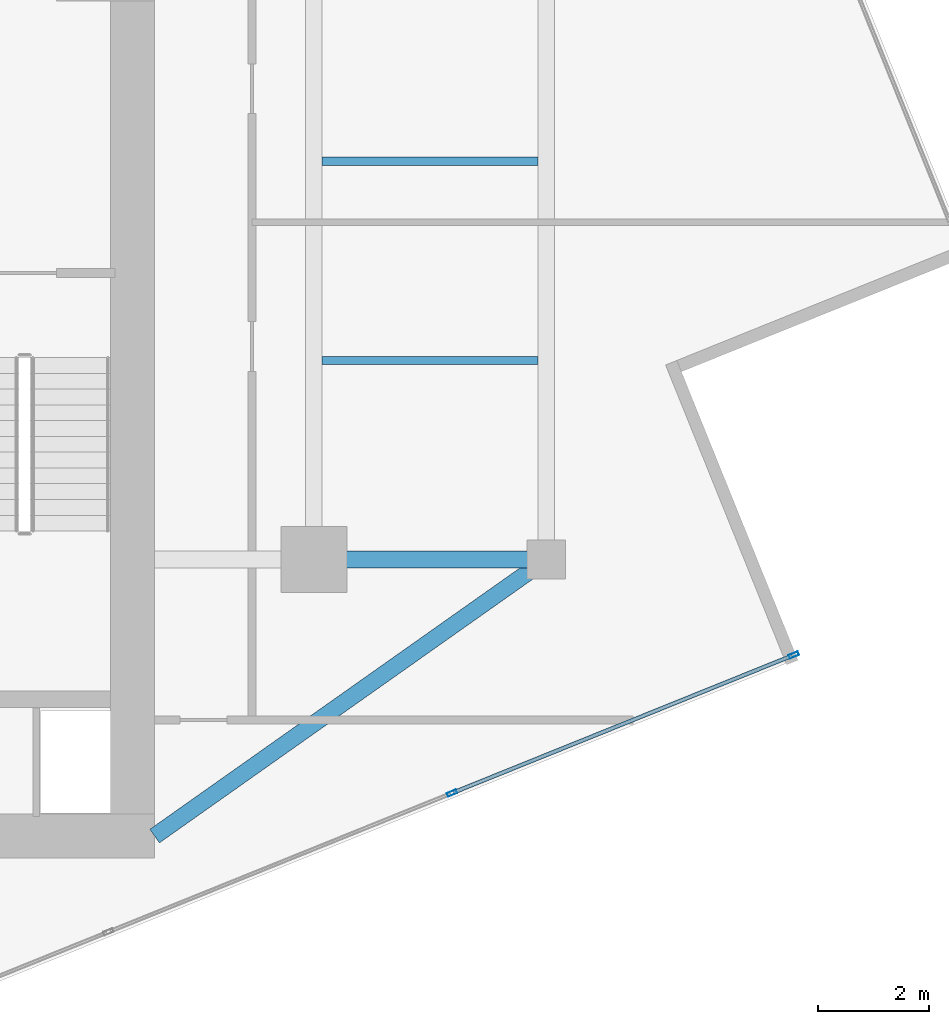
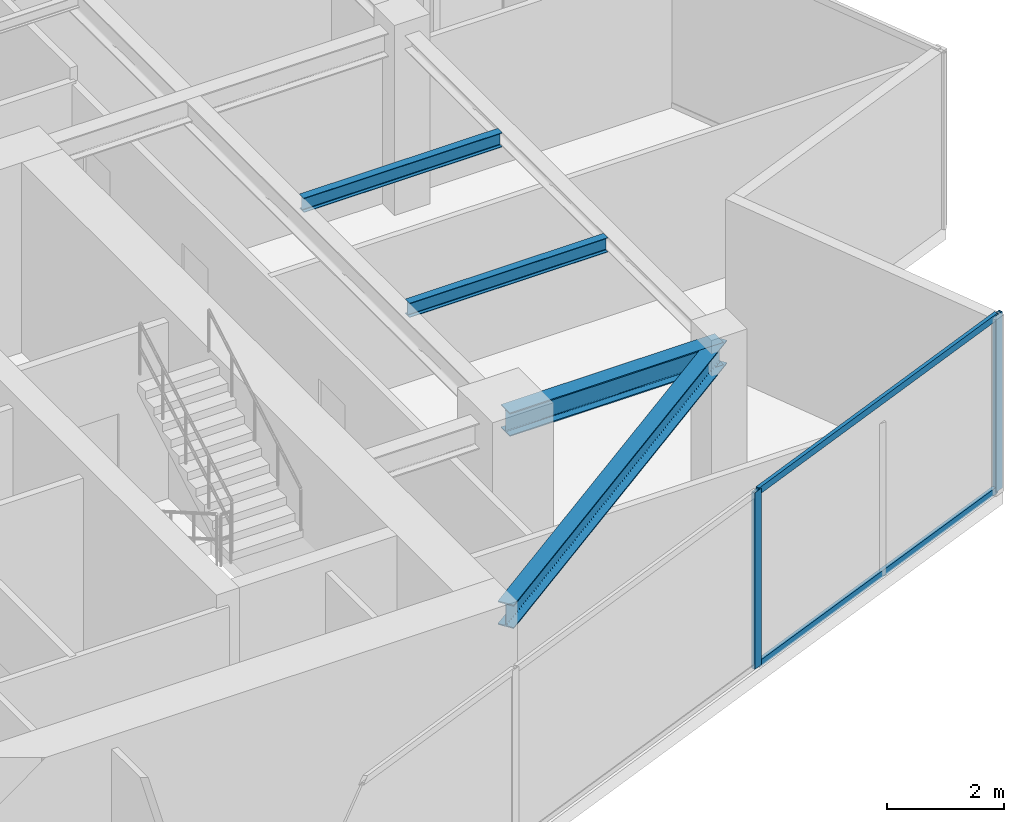
# One storey, part 9 of 21: 4 beams, 4 members, 1 element without a shape of its own.
"""IFC4 building model written with IfcOpenShell, lengths in metres."""

import ifcopenshell
import ifcopenshell.guid

model = None  # the IFC model being written
_history = None  # IfcOwnerHistory: only IFC2X3 demands one
_inside = {}  # id of a spatial element -> (the spatial element, [elements in it])
_under = {}  # id of a project, library or spatial element -> (it, [spatial elements below it])
_declared = {}  # id of a project -> (the project, [libraries it declares])
_typed = {}  # id of a type object -> (the type object, [elements of that type])
_made_of = {}  # id of a material, layer set ... -> (it, [elements and type objects made of it])


def new_model(schema):
    """Start an empty IFC model of exactly this schema.

    Asked for "IFC4X3", IfcOpenShell would pick the latest addendum, in which some entities
    have other attributes; the version numbers below select the first issue.
    IFC2X3 requires an IfcOwnerHistory on every rooted entity: one is made here for all.
    """
    global model, _history
    if schema == "IFC4X3":
        model = ifcopenshell.file(schema_version=(4, 3, 0, 0))
    else:
        model = ifcopenshell.file(schema=schema)
    _inside.clear()
    _under.clear()
    _declared.clear()
    _typed.clear()
    _made_of.clear()
    _history = None
    if model.schema == "IFC2X3":
        org = make("IfcOrganization", Name="unknown")
        user = make(
            "IfcPersonAndOrganization",
            ThePerson=make("IfcPerson", FamilyName="unknown"),
            TheOrganization=org,
        )
        app = make(
            "IfcApplication",
            ApplicationDeveloper=org,
            Version="unknown",
            ApplicationFullName="unknown",
            ApplicationIdentifier="unknown",
        )
        _history = make(
            "IfcOwnerHistory",
            OwningUser=user,
            OwningApplication=app,
            ChangeAction="ADDED",
            CreationDate=0,
        )
    return model


def make(cls, **values):
    """One entity of the class cls with the attributes given. An attribute that is None is left unset."""
    return model.create_entity(
        cls, **{name: value for name, value in values.items() if value is not None}
    )


def rooted(cls, **values):
    """An entity with a GlobalId (a new one), such as an element, a storey or a relation."""
    return make(cls, GlobalId=ifcopenshell.guid.new(), OwnerHistory=_history, **values)


def si_unit(unit_type, name, prefix=None):
    """IfcSIUnit, for example si_unit("LENGTHUNIT", "METRE", prefix="MILLI")."""
    return make("IfcSIUnit", UnitType=unit_type, Prefix=prefix, Name=name)


def assignment(units):
    """IfcUnitAssignment: the units of a project."""
    return None if units is None else make("IfcUnitAssignment", Units=units)


def point(xyz):
    """IfcCartesianPoint."""
    return None if xyz is None else make("IfcCartesianPoint", Coordinates=xyz)


def direction(xyz):
    """IfcDirection."""
    return None if xyz is None else make("IfcDirection", DirectionRatios=xyz)


def frame(location, z_axis=None, x_axis=None):
    """IfcAxis2Placement3D, a coordinate frame: its origin and axes. An axis left out is left unset."""
    return make(
        "IfcAxis2Placement3D",
        Location=point(location),
        Axis=direction(z_axis),
        RefDirection=direction(x_axis),
    )


def frame_2d(location, x_axis=None):
    """IfcAxis2Placement2D, a coordinate frame in the plane: its origin and x axis."""
    return make(
        "IfcAxis2Placement2D", Location=point(location), RefDirection=direction(x_axis)
    )


def origin():
    """The frame at (0, 0, 0) with its axes left unset."""
    return frame((0.0, 0.0, 0.0))


def origin_2d():
    """The frame at (0, 0) in the plane with its x axis left unset."""
    return frame_2d((0.0, 0.0))


def place(relative_to, where):
    """IfcLocalPlacement: puts the frame where relative to a parent placement (None: the world)."""
    return make(
        "IfcLocalPlacement", PlacementRelTo=relative_to, RelativePlacement=where
    )


def context(
    kind, dimensions, precision=None, world=None, true_north=None, identifier=None
):
    """IfcGeometricRepresentationContext, for example the 3D "Model" context."""
    return make(
        "IfcGeometricRepresentationContext",
        ContextIdentifier=identifier,
        ContextType=kind,
        CoordinateSpaceDimension=dimensions,
        Precision=precision,
        WorldCoordinateSystem=world,
        TrueNorth=true_north,
    )


def subcontext(parent, identifier, kind, view, scale=None):
    """IfcGeometricRepresentationSubContext, for example "Body" below "Model"."""
    return make(
        "IfcGeometricRepresentationSubContext",
        ContextIdentifier=identifier,
        ContextType=kind,
        ParentContext=parent,
        TargetScale=scale,
        TargetView=view,
    )


def project(units=None, contexts=None):
    """IfcProject with its units and contexts."""
    return rooted(
        "IfcProject",
        Name="project",
        RepresentationContexts=contexts,
        UnitsInContext=assignment(units),
    )


def spatial(cls, under=None, at=None, **own):
    """A site, building, storey or space (cls), placed at a placement, below another one or the project."""
    s = rooted(cls, ObjectPlacement=at, **own)
    if under is not None:
        _under.setdefault(under.id(), (under, []))[1].append(s)
    return s


def profile(cls, at=None, kind="AREA", **sizes):
    """A parametric profile (cls). Its sizes go by their IFC names, for example OverallWidth=200.0."""
    return make(cls, ProfileType=kind, Position=at, **sizes)


def hollow_rectangle(**sizes):
    """IfcRectangleHollowProfileDef."""
    return profile("IfcRectangleHollowProfileDef", **sizes)


def i_section(**sizes):
    """IfcIShapeProfileDef."""
    return profile("IfcIShapeProfileDef", **sizes)


def extrude(swept, where, along, depth):
    """IfcExtrudedAreaSolid: the profile swept, set in the frame where, extruded along a direction by depth."""
    return make(
        "IfcExtrudedAreaSolid",
        SweptArea=swept,
        Position=where,
        ExtrudedDirection=direction(along),
        Depth=depth,
    )


def shape(context_of_items, identifier, shape_type, items):
    """IfcShapeRepresentation: the items that make up one representation, for example the "Body"."""
    return make(
        "IfcShapeRepresentation",
        ContextOfItems=context_of_items,
        RepresentationIdentifier=identifier,
        RepresentationType=shape_type,
        Items=items,
    )


def source(mapping_origin, context_of_items, identifier, shape_type, items):
    """IfcRepresentationMap: a shape defined once, which mapped items show again and again."""
    return make(
        "IfcRepresentationMap",
        MappingOrigin=mapping_origin,
        MappedRepresentation=shape(context_of_items, identifier, shape_type, items),
    )


def transform(
    local_origin,
    x_axis=None,
    y_axis=None,
    z_axis=None,
    scale=None,
    scale2=None,
    scale3=None,
    uniform=True,
):
    """IfcCartesianTransformationOperator3D, or its non-uniform kind. x_axis, y_axis, z_axis: its Axis1, 2, 3."""
    if uniform:
        return make(
            "IfcCartesianTransformationOperator3D",
            Axis1=direction(x_axis),
            Axis2=direction(y_axis),
            LocalOrigin=point(local_origin),
            Scale=scale,
            Axis3=direction(z_axis),
        )
    return make(
        "IfcCartesianTransformationOperator3DnonUniform",
        Axis1=direction(x_axis),
        Axis2=direction(y_axis),
        LocalOrigin=point(local_origin),
        Scale=scale,
        Axis3=direction(z_axis),
        Scale2=scale2,
        Scale3=scale3,
    )


def mapped(mapping_source, mapping_target):
    """IfcMappedItem: shows the shape of a source again, moved by a transform."""
    return make(
        "IfcMappedItem", MappingSource=mapping_source, MappingTarget=mapping_target
    )


def material(Name=None, Category=None):
    """IfcMaterial."""
    return make("IfcMaterial", Name=Name, Category=Category)


def material_profile(
    of_material, cross_section, Name=None, Category=None, Priority=None
):
    """IfcMaterialProfile: a cross section and its material."""
    return make(
        "IfcMaterialProfile",
        Name=Name,
        Material=of_material,
        Profile=cross_section,
        Priority=Priority,
        Category=Category,
    )


def profile_set(profiles, Name=None, composite=None):
    """IfcMaterialProfileSet."""
    return make(
        "IfcMaterialProfileSet",
        Name=Name,
        MaterialProfiles=profiles,
        CompositeProfile=composite,
    )


def made_of(thing, what):
    """Note that an element or type object is made of a material, layer set ...; save() writes the relation."""
    if what is not None:
        _made_of.setdefault(what.id(), (what, []))[1].append(thing)
    return thing


def type_object(cls, material=None, **own):
    """A type object (cls), such as IfcWallType, which elements share."""
    return made_of(rooted(cls, **own), material)


def type_shapes(of_type, sources):
    """Give a type object the sources (RepresentationMaps) that its elements show as mapped items."""
    of_type.RepresentationMaps = sources


def element(
    cls,
    number,
    at=None,
    inside=None,
    cuts=None,
    type_object=None,
    material=None,
    context=None,
    identifier="Body",
    shape_type=None,
    held_by="IfcProductDefinitionShape",
    body=None,
    shapes=None,
    **own,
):
    """One element of the class cls, such as IfcWall. Its Tag is "e" and its number.

    at: its placement. inside: the storey or other place that contains it. cuts: it is an
    opening in that element (IfcRelVoidsElement). A single representation is given by context,
    identifier, shape_type and body (its items); several are given by shapes. held_by: the class
    of the entity that holds the representations. save() writes the other relations.
    """
    e = rooted(cls, Tag="e%d" % number, ObjectPlacement=at, **own)
    if body is not None:
        shapes = [shape(context, identifier, shape_type, body)]
    if shapes is not None:
        e.Representation = make(held_by, Representations=shapes)
    if inside is not None:
        _inside.setdefault(inside.id(), (inside, []))[1].append(e)
    if cuts is not None:
        rooted(
            "IfcRelVoidsElement", RelatingBuildingElement=cuts, RelatedOpeningElement=e
        )
    if type_object is not None:
        _typed.setdefault(type_object.id(), (type_object, []))[1].append(e)
    return made_of(e, material)


def aggregate(whole, parts):
    """IfcRelAggregates: a whole, such as a stair, and the parts it consists of."""
    return rooted("IfcRelAggregates", RelatingObject=whole, RelatedObjects=parts)


def save(model, path):
    """Write the relations noted so far, then the file.

    IfcRelAggregates (storeys below a building ...), IfcRelContainedInSpatialStructure (elements
    in a storey), IfcRelDefinesByType, IfcRelAssociatesMaterial and IfcRelDeclares: one each for
    every whole, place, type object, material and project.
    """
    for whole, parts in _under.values():
        aggregate(whole, parts)
    for where, things in _inside.values():
        rooted(
            "IfcRelContainedInSpatialStructure",
            RelatedElements=things,
            RelatingStructure=where,
        )
    for kind, things in _typed.values():
        rooted("IfcRelDefinesByType", RelatedObjects=things, RelatingType=kind)
    for what, things in _made_of.values():
        rooted("IfcRelAssociatesMaterial", RelatedObjects=things, RelatingMaterial=what)
    for by, libraries in _declared.values():
        rooted("IfcRelDeclares", RelatingContext=by, RelatedDefinitions=libraries)
    model.write(path)


model = new_model("IFC4")

# Units and contexts
model_context = context("Model", 3, precision=1e-05, world=origin(), true_north=direction((0.0, 1.0)))
body_context = subcontext(model_context, "Body", "Model", "MODEL_VIEW")
ifc_project = project(units=[si_unit("LENGTHUNIT", "METRE"), si_unit("AREAUNIT", "SQUARE_METRE"), si_unit("VOLUMEUNIT", "CUBIC_METRE"), si_unit("PLANEANGLEUNIT", "RADIAN"), si_unit("MASSUNIT", "GRAM", prefix="KILO")], contexts=[model_context])

# Site, building, storey
site_placement = place(None, origin())
site = spatial("IfcSite", under=ifc_project, at=site_placement, CompositionType="ELEMENT")
building_placement = place(site_placement, origin())
building = spatial("IfcBuilding", under=site, at=building_placement, Name="Krantzveldt Concourse Tower", CompositionType="ELEMENT")
storey_placement = place(building_placement, frame((0.0, 0.0, 323.75)))
storey = spatial("IfcBuildingStorey", under=building, at=storey_placement, Name="L79", CompositionType="ELEMENT", Elevation=323.75)

# Beams
ifc_material_1 = material(Name="Steel S355JR", Category="steel")
ifc_material_profile_1 = material_profile(ifc_material_1, i_section(OverallWidth=0.300048828125, OverallDepth=0.489990234375, WebThickness=0.011962890625, FlangeThickness=0.02294921875, FilletRadius=0.027099609375, at=origin_2d()), Name="Steel S355JR", Category="steel")
ifc_profile_set_1 = profile_set([ifc_material_profile_1], Name="Steel S355JR - HEA 500")
beam_type_1 = type_object("IfcBeamType", Name="BM-B-HEA500", PredefinedType="BEAM", material=ifc_profile_set_1)
shared_shape_1 = source(origin(), body_context, "Body", "SweptSolid", [
    extrude(i_section(OverallWidth=0.300048828125, OverallDepth=0.489990234375, WebThickness=0.011962890625, FlangeThickness=0.02294921875, FilletRadius=0.027099609375, at=origin_2d()), origin(), (0.0, 0.0, 1.0), 4.199951171875),
])
beam_1_placement = place(storey_placement, frame((46.800048828125, 15.89990234375, 3.425048828125), z_axis=(1.0, 0.0, 0.0), x_axis=(0.0, 1.0, 0.0)))
element("IfcBeam", 1, at=beam_1_placement, inside=storey, type_object=beam_type_1, Name="L79 Tower Girder BR-RR1", PredefinedType="BEAM", context=body_context, shape_type="MappedRepresentation", body=[
    mapped(shared_shape_1, transform((0.0, 0.0, 0.0), x_axis=(1.0, 0.0, 0.0), y_axis=(0.0, 1.0, 0.0), z_axis=(0.0, 0.0, 1.0), scale=1.0)),
])
shared_shape_2 = source(origin(), body_context, "Body", "SweptSolid", [
    extrude(i_section(OverallWidth=0.300048828125, OverallDepth=0.489990234375, WebThickness=0.011962890625, FlangeThickness=0.02294921875, FilletRadius=0.027099609375, at=origin_2d()), origin(), (0.0, 0.0, 1.0), 8.667724609375),
])
type_shapes(beam_type_1, [shared_shape_1, shared_shape_2])
beam_2_placement = place(storey_placement, frame((51.0, 15.89990234375, 3.425048828125), z_axis=(-0.81684294656, -0.576860122261, 0.0), x_axis=(0.576860122261, -0.81684294656, 0.0)))
element("IfcBeam", 2, at=beam_2_placement, inside=storey, type_object=beam_type_1, Name="L79 Tower Girder BR-CSE", PredefinedType="BEAM", context=body_context, shape_type="MappedRepresentation", body=[
    mapped(shared_shape_2, transform((0.0, 0.0, 0.0), x_axis=(1.0, 0.0, 0.0), y_axis=(0.0, 1.0, 0.0), z_axis=(0.0, 0.0, 1.0), scale=1.0)),
])
ifc_material_profile_2 = material_profile(ifc_material_1, i_section(OverallWidth=0.14990234375, OverallDepth=0.300048828125, WebThickness=0.007080078125, FlangeThickness=0.0107421875, FilletRadius=0.014892578125, at=origin_2d()), Name="Steel S355JR", Category="steel")
ifc_profile_set_2 = profile_set([ifc_material_profile_2], Name="Steel S355JR - IPE 300")
beam_type_2 = type_object("IfcBeamType", Name="BM-J-IPE300", PredefinedType="JOIST", material=ifc_profile_set_2)
shared_shape_3 = source(origin(), body_context, "Body", "SweptSolid", [
    extrude(i_section(OverallWidth=0.14990234375, OverallDepth=0.300048828125, WebThickness=0.007080078125, FlangeThickness=0.0107421875, FilletRadius=0.014892578125, at=origin_2d()), origin(), (0.0, 0.0, 1.0), 3.900146484375),
])
type_shapes(beam_type_2, [shared_shape_3])
for number, where, z_axis, x_axis, name in (
    (3, (46.949951171875, 19.5, 3.52001953125), (1.0, 0.0, 0.0), (0.0, 1.0, 0.0), "L79 Secondary Floor Joist JE-1"),
    (4, (46.949951171875, 23.10009765625, 3.52001953125), (1.0, 0.0, 0.0), (0.0, 1.0, 0.0), "L79 Secondary Floor Joist JE-2"),
):
    element("IfcBeam", number, at=place(storey_placement, frame(where, z_axis=z_axis, x_axis=x_axis)), inside=storey, type_object=beam_type_2, Name=name, PredefinedType="JOIST", context=body_context, shape_type="MappedRepresentation", body=[
        mapped(shared_shape_3, transform((0.0, 0.0, 0.0), x_axis=(1.0, 0.0, 0.0), y_axis=(0.0, 1.0, 0.0), z_axis=(0.0, 0.0, 1.0), scale=1.0)),
    ])

# Curtain wall, members
ifc_material_2 = material(Name="Anodised aluminium 6063-T6", Category="aluminium")
curtain_wall_type = type_object("IfcCurtainWallType", Name="CW4", PredefinedType="USERDEFINED", material=ifc_material_2)
curtain_wall_placement = place(storey_placement, origin())
curtain_wall = element("IfcCurtainWall", 5, at=curtain_wall_placement, inside=storey, type_object=curtain_wall_type, Name="CW-L79-F07", ObjectType="UNITISED CURTAIN WALL", PredefinedType="USERDEFINED")
ifc_material_profile_3 = material_profile(ifc_material_2, hollow_rectangle(XDim=0.070068359375, YDim=0.179931640625, WallThickness=0.0048828125, at=origin_2d()), Name="Anodised aluminium 6063-T6", Category="aluminium")
ifc_profile_set_3 = profile_set([ifc_material_profile_3], Name="Anodised aluminium 6063-T6 - ALU-MULL 180x70x5")
member_type_1 = type_object("IfcMemberType", Name="CW-MUL-180", PredefinedType="MULLION", material=ifc_profile_set_3)
shared_shape_4 = source(origin(), body_context, "Body", "SweptSolid", [
    extrude(hollow_rectangle(XDim=0.070068359375, YDim=0.179931640625, WallThickness=0.0048828125, at=origin_2d()), origin(), (0.0, 0.0, 1.0), 3.669921875),
])
type_shapes(member_type_1, [shared_shape_4])
member_1_placement = place(storey_placement, frame((49.2958984375, 11.6767578125, 0.0), z_axis=(0.0, 0.0, 1.0), x_axis=(-0.374606664198, 0.927183825969, 0.0)))
member_1 = element("IfcMember", 6, at=member_1_placement, type_object=member_type_1, Name="CW-Z56 mullion 4", PredefinedType="MULLION", context=body_context, shape_type="MappedRepresentation", body=[
    mapped(shared_shape_4, transform((0.0, 0.0, 0.0), x_axis=(1.0, 0.0, 0.0), y_axis=(0.0, 1.0, 0.0), z_axis=(0.0, 0.0, 1.0), scale=1.0)),
])
member_2_placement = place(storey_placement, frame((55.4755859375, 14.173583984375, 0.0), z_axis=(0.0, 0.0, 1.0), x_axis=(-0.374606664198, 0.927183825969, 0.0)))
member_2 = element("IfcMember", 7, at=member_2_placement, type_object=member_type_1, Name="CW-Z56 mullion 5", PredefinedType="MULLION", context=body_context, shape_type="MappedRepresentation", body=[
    mapped(shared_shape_4, transform((0.0, 0.0, 0.0), x_axis=(1.0, 0.0, 0.0), y_axis=(0.0, 1.0, 0.0), z_axis=(0.0, 0.0, 1.0), scale=1.0)),
])
ifc_material_profile_4 = material_profile(ifc_material_2, hollow_rectangle(XDim=0.070068359375, YDim=0.139892578125, WallThickness=0.0048828125, at=origin_2d()), Name="Anodised aluminium 6063-T6", Category="aluminium")
ifc_profile_set_4 = profile_set([ifc_material_profile_4], Name="Anodised aluminium 6063-T6 - ALU-TRAN 140x70x5")
member_type_2 = type_object("IfcMemberType", Name="CW-TRN-150", PredefinedType="USERDEFINED", material=ifc_profile_set_4)
shared_shape_5 = source(origin(), body_context, "Body", "SweptSolid", [
    extrude(hollow_rectangle(XDim=0.070068359375, YDim=0.139892578125, WallThickness=0.0048828125, at=origin_2d()), origin(), (0.0, 0.0, 1.0), 6.594970703125),
])
type_shapes(member_type_2, [shared_shape_5])
member_3_placement = place(storey_placement, frame((49.328369140625, 11.68994140625, 0.034912109375), z_axis=(0.927186951391, 0.374598928417, 0.0), x_axis=(-0.374598928417, 0.927186951391, 0.0)))
member_3 = element("IfcMember", 8, at=member_3_placement, type_object=member_type_2, Name="CW-Z56 transom 4.1", ObjectType="TRANSOM", PredefinedType="USERDEFINED", context=body_context, shape_type="MappedRepresentation", body=[
    mapped(shared_shape_5, transform((0.0, 0.0, 0.0), x_axis=(1.0, 0.0, 0.0), y_axis=(0.0, 1.0, 0.0), z_axis=(0.0, 0.0, 1.0), scale=1.0)),
])
member_4_placement = place(storey_placement, frame((49.328369140625, 11.68994140625, 3.635009765625), z_axis=(0.927186951391, 0.374598928417, 0.0), x_axis=(-0.374598928417, 0.927186951391, 0.0)))
member_4 = element("IfcMember", 9, at=member_4_placement, type_object=member_type_2, Name="CW-Z56 transom 4.2", ObjectType="TRANSOM", PredefinedType="USERDEFINED", context=body_context, shape_type="MappedRepresentation", body=[
    mapped(shared_shape_5, transform((0.0, 0.0, 0.0), x_axis=(1.0, 0.0, 0.0), y_axis=(0.0, 1.0, 0.0), z_axis=(0.0, 0.0, 1.0), scale=1.0)),
])
aggregate(curtain_wall, [member_1, member_2, member_3, member_4])

save(model, "model.ifc")
